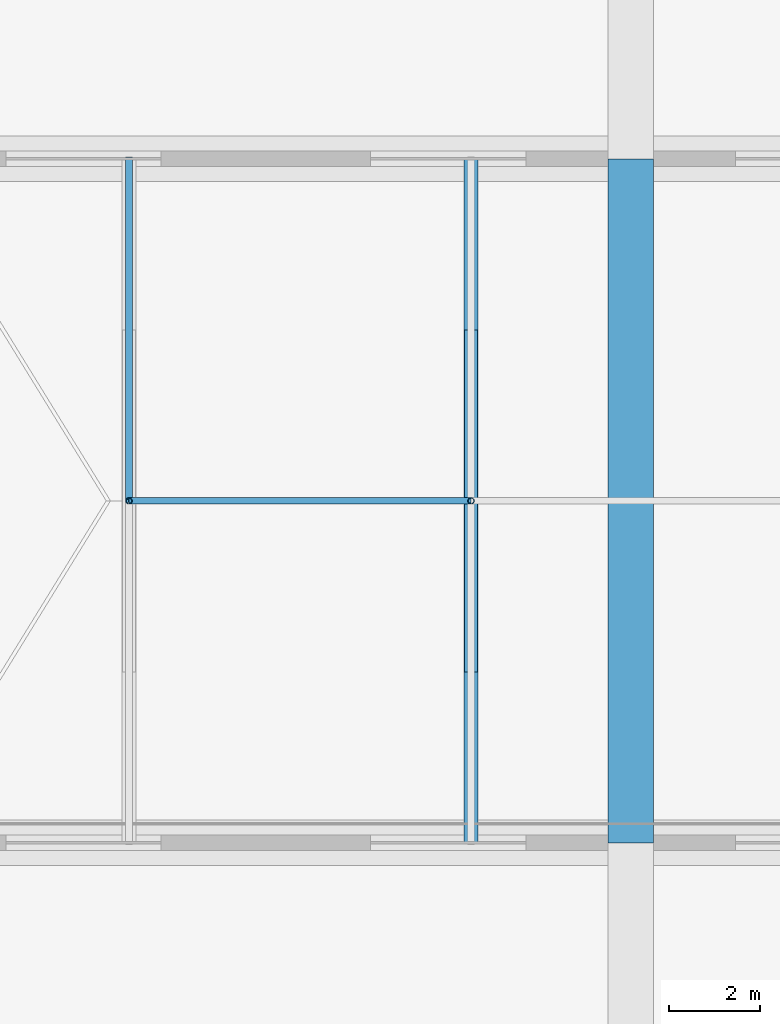
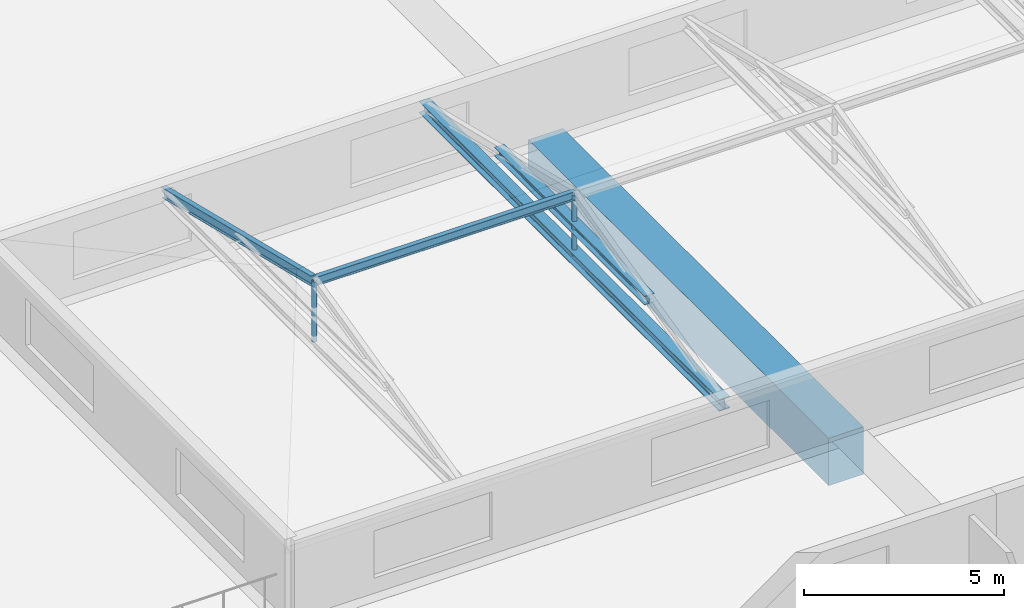
# One storey, part 20 of 49: 6 members, 1 beam.
"""IFC4 building model written with IfcOpenShell, lengths in metres."""

from ifc_helpers import new_model, si_unit, direction, frame, origin, origin_2d, place, context, subcontext, project, spatial, rectangle, hollow_circle, i_section, extrude, material, material_profile, profile_set, type_object, element, save


model = new_model("IFC4")

# Units and contexts
model_context = context("Model", 3, precision=1e-05, world=origin(), true_north=direction((0.0, 1.0)))
body_context = subcontext(model_context, "Body", "Model", "MODEL_VIEW")
ifc_project = project(units=[si_unit("LENGTHUNIT", "METRE"), si_unit("AREAUNIT", "SQUARE_METRE"), si_unit("VOLUMEUNIT", "CUBIC_METRE"), si_unit("PLANEANGLEUNIT", "RADIAN"), si_unit("MASSUNIT", "GRAM", prefix="KILO")], contexts=[model_context])

# Site, building, storey
site_placement = place(None, origin())
site = spatial("IfcSite", under=ifc_project, at=site_placement, CompositionType="ELEMENT")
building_placement = place(site_placement, origin())
building = spatial("IfcBuilding", under=site, at=building_placement, Name="Akrevak Sports Hall", CompositionType="ELEMENT")
storey_placement = place(building_placement, frame((0.0, 0.0, 24.14990234375)))
storey = spatial("IfcBuildingStorey", under=building, at=storey_placement, Name="L04", CompositionType="ELEMENT", Elevation=24.14990234375)

# Beam
ifc_material_1 = material(Name="Concrete C50/60", Category="concrete")
ifc_material_profile_1 = material_profile(ifc_material_1, rectangle(XDim=1.0, YDim=1.449951171875, at=origin_2d()), Name="BM 1000x1450", Category="concrete")
ifc_profile_set_1 = profile_set([ifc_material_profile_1], Name="Concrete C50/60")
beam_type = type_object("IfcBeamType", Name="STR-BM-LG1000x1450", PredefinedType="BEAM", material=ifc_profile_set_1)
beam_placement = place(storey_placement, frame((76.0, 84.0, -0.724853515625), z_axis=(0.0, 1.0, 0.0), x_axis=(-1.0, 0.0, 0.0)))
element("IfcBeam", 1, at=beam_placement, inside=storey, type_object=beam_type, Name="Girder 11/M-O (L04)", PredefinedType="BEAM", context=body_context, shape_type="SweptSolid", body=[
    extrude(rectangle(XDim=1.0, YDim=1.449951171875, at=origin_2d()), origin(), (0.0, 0.0, 1.0), 15.0),
])

# Members
ifc_material_2 = material(Name="Steel S355", Category="steel")
ifc_material_profile_2 = material_profile(ifc_material_2, hollow_circle(Radius=0.06982421875, WallThickness=0.008056640625, at=origin_2d()), Name="CHS 139.7x8", Category="steel")
ifc_profile_set_2 = profile_set([ifc_material_profile_2], Name="Steel S355")
member_type_1 = type_object("IfcMemberType", Name="STR-MEM-BRACE-CHS139", PredefinedType="BRACE", material=ifc_profile_set_2)
for number, where, z_axis, x_axis, name in (
    (2, (65.0, 91.5, 2.10009765625), (0.0, 0.0, 1.0), (1.0, 0.0, 0.0), "North Athletes Hall Clerestory Monitor Roof Central King Post 1"),
    (3, (72.5, 91.5, 2.10009765625), (0.0, 0.0, 1.0), (1.0, 0.0, 0.0), "North Athletes Hall Clerestory Monitor Roof Central King Post 2"),
):
    element("IfcMember", number, at=place(storey_placement, frame(where, z_axis=z_axis, x_axis=x_axis)), inside=storey, type_object=member_type_1, Name=name, PredefinedType="BRACE", context=body_context, shape_type="SweptSolid", body=[
        extrude(hollow_circle(Radius=0.06982421875, WallThickness=0.008056640625, at=origin_2d()), origin(), (0.0, 0.0, 1.0), 1.830078125),
    ])
ifc_material_profile_3 = material_profile(ifc_material_2, i_section(OverallWidth=0.280029296875, OverallDepth=0.27001953125, WebThickness=0.008056640625, FlangeThickness=0.012939453125, FilletRadius=0.02392578125, at=origin_2d()), Name="HEA 280", Category="steel")
ifc_profile_set_3 = profile_set([ifc_material_profile_3], Name="Steel S355")
member_type_2 = type_object("IfcMemberType", Name="STR-MEM-CHORD-HEA280", PredefinedType="CHORD", material=ifc_profile_set_3)
member_1_placement = place(storey_placement, frame((72.5, 87.75, 3.01513671875), z_axis=(0.0, 1.0, 0.0), x_axis=(-1.0, 0.0, 0.0)))
element("IfcMember", 4, at=member_1_placement, inside=storey, type_object=member_type_2, Name="North Athletes Hall Clerestory Monitor Roof Collar Tie Chord 2", PredefinedType="CHORD", context=body_context, shape_type="SweptSolid", body=[
    extrude(i_section(OverallWidth=0.280029296875, OverallDepth=0.27001953125, WebThickness=0.008056640625, FlangeThickness=0.012939453125, FilletRadius=0.02392578125, at=origin_2d()), origin(), (0.0, 0.0, 1.0), 7.5),
])
ifc_material_profile_4 = material_profile(ifc_material_2, i_section(OverallWidth=0.300048828125, OverallDepth=0.360107421875, WebThickness=0.012451171875, FlangeThickness=0.0224609375, FilletRadius=0.027099609375, at=origin_2d()), Name="HEB 360", Category="steel")
ifc_profile_set_4 = profile_set([ifc_material_profile_4], Name="Steel S355")
member_type_3 = type_object("IfcMemberType", Name="STR-MEM-CHORD-HEB360", PredefinedType="CHORD", material=ifc_profile_set_4)
member_2_placement = place(storey_placement, frame((72.5, 84.0, 2.10009765625), z_axis=(0.0, 1.0, 0.0), x_axis=(-1.0, 0.0, 0.0)))
element("IfcMember", 5, at=member_2_placement, inside=storey, type_object=member_type_3, Name="North Athletes Hall Clerestory Monitor Roof Bottom Tie Chord 2", PredefinedType="CHORD", context=body_context, shape_type="SweptSolid", body=[
    extrude(i_section(OverallWidth=0.300048828125, OverallDepth=0.360107421875, WebThickness=0.012451171875, FlangeThickness=0.0224609375, FilletRadius=0.027099609375, at=origin_2d()), origin(), (0.0, 0.0, 1.0), 15.0),
])
ifc_material_profile_5 = material_profile(ifc_material_2, i_section(OverallWidth=0.135009765625, OverallDepth=0.27001953125, WebThickness=0.006591796875, FlangeThickness=0.01025390625, FilletRadius=0.014892578125, at=origin_2d()), Name="IPE 270", Category="steel")
ifc_profile_set_5 = profile_set([ifc_material_profile_5], Name="Steel S355")
member_type_4 = type_object("IfcMemberType", Name="STR-MEM-PUR-IPE270", PredefinedType="PURLIN", material=ifc_profile_set_5)
member_3_placement = place(storey_placement, frame((65.0, 91.5, 3.93017578125), z_axis=(1.0, 0.0, 0.0), x_axis=(0.0, 1.0, 0.0)))
element("IfcMember", 6, at=member_3_placement, inside=storey, type_object=member_type_4, Name="North Athletes Hall Clerestory Monitor Roof Ridge Steel Purlin 1", PredefinedType="PURLIN", context=body_context, shape_type="SweptSolid", body=[
    extrude(i_section(OverallWidth=0.135009765625, OverallDepth=0.27001953125, WebThickness=0.006591796875, FlangeThickness=0.01025390625, FilletRadius=0.014892578125, at=origin_2d()), origin(), (0.0, 0.0, 1.0), 7.5),
])
ifc_material_profile_6 = material_profile(ifc_material_2, i_section(OverallWidth=0.14990234375, OverallDepth=0.300048828125, WebThickness=0.007080078125, FlangeThickness=0.0107421875, FilletRadius=0.014892578125, at=origin_2d()), Name="IPE 300", Category="steel")
ifc_profile_set_6 = profile_set([ifc_material_profile_6], Name="Steel S355")
member_type_5 = type_object("IfcMemberType", Name="STR-MEM-RAF-IPE300", PredefinedType="RAFTER", material=ifc_profile_set_6)
member_4_placement = place(storey_placement, frame((65.0, 99.0, 2.10009765625), z_axis=(0.0, -0.971496184976, 0.237055188886), x_axis=(1.0, 0.0, 0.0)))
element("IfcMember", 7, at=member_4_placement, inside=storey, type_object=member_type_5, Name="North Athletes Hall Clerestory Monitor Roof North Steel Rafter 1", PredefinedType="RAFTER", context=body_context, shape_type="SweptSolid", body=[
    extrude(i_section(OverallWidth=0.14990234375, OverallDepth=0.300048828125, WebThickness=0.007080078125, FlangeThickness=0.0107421875, FilletRadius=0.014892578125, at=origin_2d()), origin(), (0.0, 0.0, 1.0), 7.719970703125),
])

save(model, "model.ifc")
